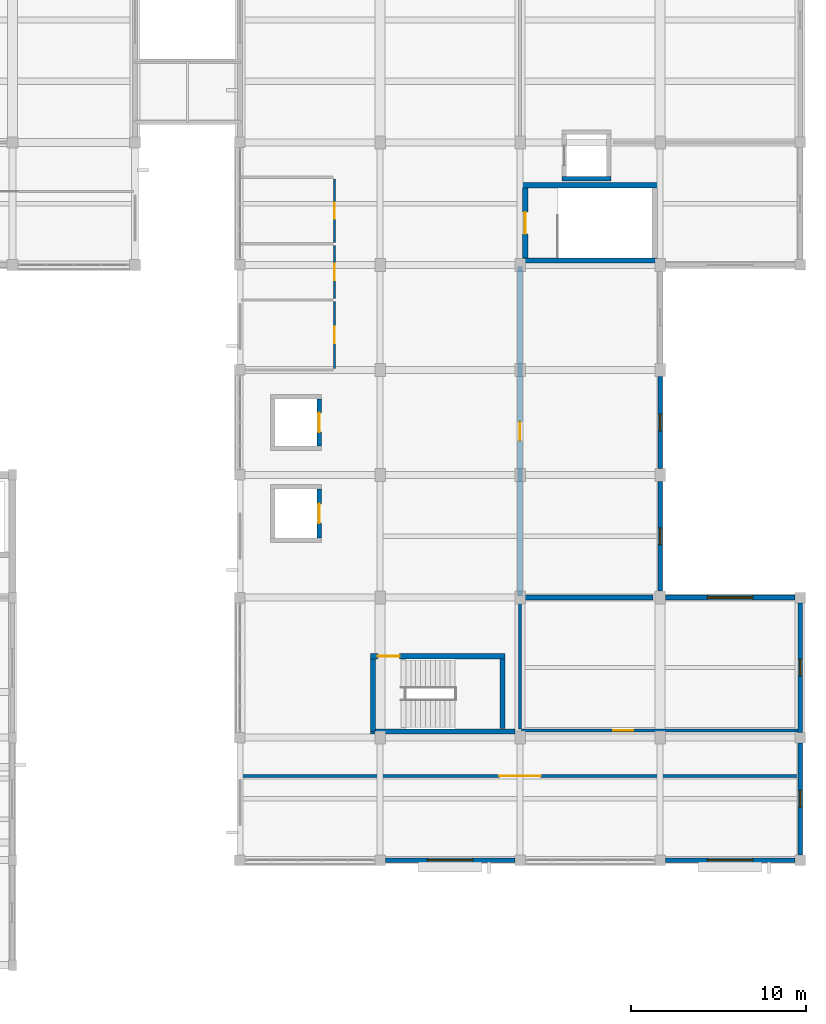
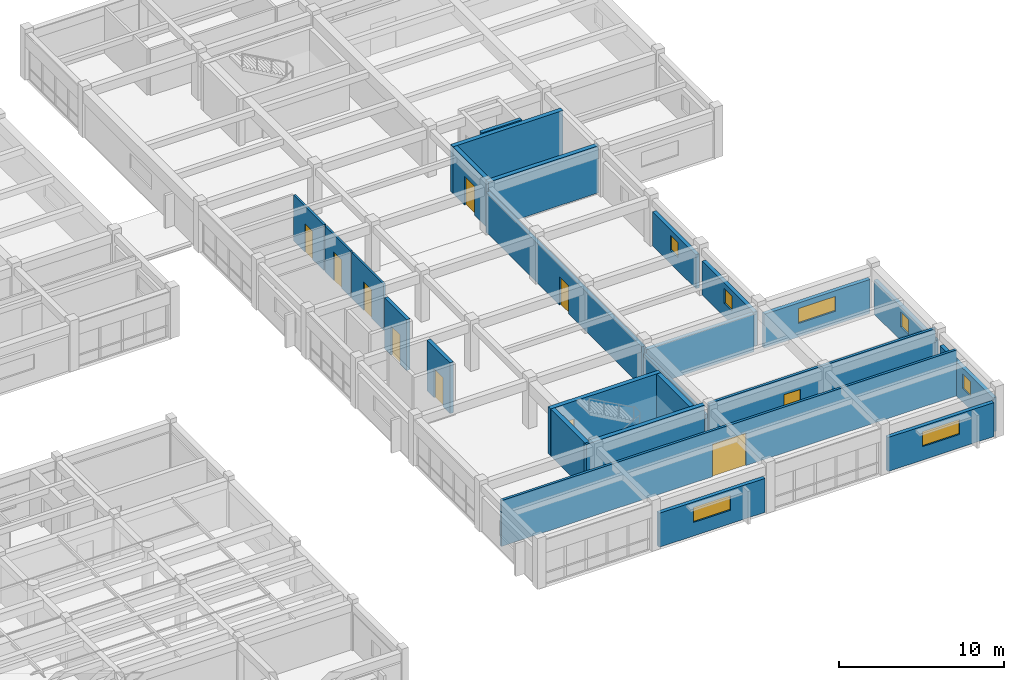
# One storey, part 27 of 33: 25 walls, 10 doors, 7 windows, 17 openings.
"""IFC4 building model written with IfcOpenShell, lengths in metres."""

from ifc_helpers import new_model, si_unit, direction, frame, frame_2d, origin, place, context, subcontext, project, spatial, rectangle, extrude, material, layer, layer_set, type_object, element, fill, save


model = new_model("IFC4")

# Units and contexts
model_context = context("Model", 3, precision=1e-05, world=origin(), true_north=direction((0.0, 1.0)))
body_context = subcontext(model_context, "Body", "Model", "MODEL_VIEW")
ifc_project = project(units=[si_unit("LENGTHUNIT", "METRE"), si_unit("AREAUNIT", "SQUARE_METRE"), si_unit("VOLUMEUNIT", "CUBIC_METRE"), si_unit("PLANEANGLEUNIT", "RADIAN"), si_unit("MASSUNIT", "GRAM", prefix="KILO")], contexts=[model_context])

# Site, building, storey
site_placement = place(None, origin())
site = spatial("IfcSite", under=ifc_project, at=site_placement, CompositionType="ELEMENT")
building_placement = place(site_placement, origin())
building = spatial("IfcBuilding", under=site, at=building_placement, Name="Naurynzar Civic Courthouse", CompositionType="ELEMENT")
storey_placement = place(building_placement, frame((0.0, 0.0, 22.050048828125)))
storey = spatial("IfcBuildingStorey", under=building, at=storey_placement, Name="L06", CompositionType="ELEMENT", Elevation=22.050048828125)

# Wall, opening, door
ifc_material_1 = material(Name="Acoustic Double-Stud Gypsum Partition")
ifc_layer_1 = layer(ifc_material_1, 0.169921875)
ifc_layer_set_1 = layer_set([ifc_layer_1], Name="WL-ACOUSTIC-170")
wall_type_1 = type_object("IfcWallType", Name="WL-ACOUSTIC-170", PredefinedType="PARTITIONING", material=ifc_layer_set_1)
wall_1_placement = place(storey_placement, frame((130.080078125, 14.800048828125, 0.0), z_axis=(0.0, 0.0, 1.0), x_axis=(1.0, 0.0, 0.0)))
wall_1 = element("IfcWall", 1, at=wall_1_placement, inside=storey, type_object=wall_type_1, Name="V5 interior partition L06.653", PredefinedType="PARTITIONING", context=body_context, shape_type="SweptSolid", body=[
    extrude(rectangle(XDim=31.83984375, YDim=0.169921875, at=frame_2d((15.919921875, 0.0))), origin(), (0.0, 0.0, 1.0), 3.389892578125),
])
opening_1_placement = place(wall_1_placement, frame((14.7451171875, 0.0, 0.0)))
opening_1 = element("IfcOpeningElement", 2, at=opening_1_placement, cuts=wall_1, Name="Opening D-347", PredefinedType="OPENING", context=body_context, shape_type="SweptSolid", body=[
    extrude(rectangle(XDim=2.35009765625, YDim=2.39990234375, at=frame_2d((1.175048828125, 1.199951171875))), frame((0.0, 0.094970703125, 0.0), z_axis=(0.0, -1.0, 0.0), x_axis=(1.0, 0.0, 0.0)), (0.0, 0.0, 1.0), 0.18994140625),
])
ifc_material_2 = material(Name="Acoustic Oak Timber Grade A", Category="wood")
door_type_1 = type_object("IfcDoorType", Name="DR-SUITE-2350x2400", OperationType="DOUBLE_DOOR_SINGLE_SWING", PredefinedType="DOOR", material=ifc_material_2)
door_1_placement = place(opening_1_placement, origin())
door_1 = element("IfcDoor", 3, at=door_1_placement, inside=storey, type_object=door_type_1, Name="Interior door D-347 (Serious Offences Courtroom L06-S)", OperationType="DOUBLE_DOOR_SINGLE_SWING", OverallHeight=2.39990234375, OverallWidth=2.35009765625, PredefinedType="DOOR", context=body_context, shape_type="SweptSolid", body=[
    extrude(rectangle(XDim=2.35009765625, YDim=2.39990234375, at=frame_2d((1.175048828125, 1.199951171875))), frame((0.0, 0.02490234375, 0.0), z_axis=(0.0, -1.0, 0.0), x_axis=(1.0, 0.0, 0.0)), (0.0, 0.0, 1.0), 0.050048828125),
])
fill(opening_1, door_1)

ifc_material_3 = material(Name="Concrete C40/50", Category="concrete")
ifc_layer_2 = layer(ifc_material_3, 0.300048828125)
ifc_layer_set_2 = layer_set([ifc_layer_2], Name="WL-CORE-300")
wall_type_2 = type_object("IfcWallType", Name="WL-CORE-300", PredefinedType="SHEAR", material=ifc_layer_set_2)
wall_2_placement = place(storey_placement, frame((145.14990234375, 21.64990234375, 0.0), z_axis=(0.0, 0.0, 1.0), x_axis=(-1.0, 0.0, 0.0)))
wall_2 = element("IfcWall", 4, at=wall_2_placement, inside=storey, type_object=wall_type_2, Name="Stair ST-V5A enclosure wall north L06", PredefinedType="SHEAR", context=body_context, shape_type="SweptSolid", body=[
    extrude(rectangle(XDim=7.699951171875, YDim=0.300048828125, at=frame_2d((3.85009765625, 0.0))), origin(), (0.0, 0.0, 1.0), 3.469970703125),
])
opening_2_placement = place(wall_2_placement, frame((6.02490234375, 0.0, 0.0)))
opening_2 = element("IfcOpeningElement", 5, at=opening_2_placement, cuts=wall_2, Name="Opening SD-065", PredefinedType="OPENING", context=body_context, shape_type="SweptSolid", body=[
    extrude(rectangle(XDim=1.25, YDim=2.14990234375, at=frame_2d((0.625, 1.074951171875))), frame((0.0, 0.159912109375, 0.0), z_axis=(0.0, -1.0, 0.0), x_axis=(1.0, 0.0, 0.0)), (0.0, 0.0, 1.0), 0.320068359375),
])
ifc_material_4 = material(Name="Powder-Coated Galvanised Steel", Category="steel")
door_type_2 = type_object("IfcDoorType", Name="DR-STAIR-1250x2150", OperationType="NOTDEFINED", PredefinedType="DOOR", material=ifc_material_4)
door_2_placement = place(opening_2_placement, origin())
door_2 = element("IfcDoor", 6, at=door_2_placement, inside=storey, type_object=door_type_2, Name="Stair ST-V5A fire door L06", OperationType="SINGLE_SWING_LEFT", OverallHeight=2.14990234375, OverallWidth=1.25, PredefinedType="DOOR", context=body_context, shape_type="SweptSolid", body=[
    extrude(rectangle(XDim=1.25, YDim=2.14990234375, at=frame_2d((0.625, 1.074951171875))), frame((0.0, 0.02490234375, 0.0), z_axis=(0.0, -1.0, 0.0), x_axis=(1.0, 0.0, 0.0)), (0.0, 0.0, 1.0), 0.050048828125),
])
fill(opening_2, door_2)

# Walls
wall_3_placement = place(storey_placement, frame((137.449951171875, 17.35009765625, 0.0), z_axis=(0.0, 0.0, 1.0), x_axis=(1.0, 0.0, 0.0)))
element("IfcWall", 7, at=wall_3_placement, inside=storey, type_object=wall_type_2, Name="Stair ST-V5A enclosure wall south L06", PredefinedType="SHEAR", context=body_context, shape_type="SweptSolid", body=[
    extrude(rectangle(XDim=8.27001953125, YDim=0.300048828125, at=frame_2d((4.135009765625, 0.0))), origin(), (0.0, 0.0, 1.0), 3.469970703125),
])
wall_4_placement = place(storey_placement, frame((137.60009765625, 21.4951171875, 0.0), z_axis=(0.0, 0.0, 1.0), x_axis=(0.0, -1.0, 0.0)))
element("IfcWall", 8, at=wall_4_placement, inside=storey, type_object=wall_type_2, Name="Stair ST-V5A enclosure wall west L06", PredefinedType="SHEAR", context=body_context, shape_type="SweptSolid", body=[
    extrude(rectangle(XDim=4.14013671875, YDim=0.300048828125, at=frame_2d((2.070068359375, 0.0))), origin(), (0.0, 0.0, 1.0), 3.469970703125),
])
wall_5_placement = place(storey_placement, frame((145.0, 17.5048828125, 0.0), z_axis=(0.0, 0.0, 1.0), x_axis=(0.0, 1.0, 0.0)))
element("IfcWall", 9, at=wall_5_placement, inside=storey, type_object=wall_type_2, Name="Stair ST-V5A enclosure wall east L06", PredefinedType="SHEAR", context=body_context, shape_type="SweptSolid", body=[
    extrude(rectangle(XDim=3.990234375, YDim=0.300048828125, at=frame_2d((1.9951171875, 0.0))), origin(), (0.0, 0.0, 1.0), 3.469970703125),
])
for number, where, z_axis, x_axis, name in (
    (10, (153.85009765625, 48.550048828125, 0.0), (0.0, 0.0, 1.0), (-1.0, 0.0, 0.0), "Stair ST-CUS enclosure wall north L06"),
    (11, (146.14990234375, 44.25, 0.0), (0.0, 0.0, 1.0), (1.0, 0.0, 0.0), "Stair ST-CUS enclosure wall south L06"),
):
    element("IfcWall", number, at=place(storey_placement, frame(where, z_axis=z_axis, x_axis=x_axis)), inside=storey, type_object=wall_type_2, Name=name, PredefinedType="SHEAR", context=body_context, shape_type="SweptSolid", body=[
        extrude(rectangle(XDim=7.7001953125, YDim=0.300048828125, at=frame_2d((3.85009765625, 0.0))), origin(), (0.0, 0.0, 1.0), 3.469970703125),
    ])

# Wall, opening, door
wall_6_placement = place(storey_placement, frame((146.300048828125, 48.39501953125, 0.0), z_axis=(0.0, 0.0, 1.0), x_axis=(0.0, -1.0, 0.0)))
wall_6 = element("IfcWall", 12, at=wall_6_placement, inside=storey, type_object=wall_type_2, Name="Stair ST-CUS enclosure wall west L06", PredefinedType="SHEAR", context=body_context, shape_type="SweptSolid", body=[
    extrude(rectangle(XDim=3.989990234375, YDim=0.300048828125, at=frame_2d((1.9951171875, 0.0))), origin(), (0.0, 0.0, 1.0), 3.469970703125),
])
opening_3_placement = place(wall_6_placement, frame((1.3701171875, 0.0, 0.0)))
opening_3 = element("IfcOpeningElement", 13, at=opening_3_placement, cuts=wall_6, Name="Opening SD-083", PredefinedType="OPENING", context=body_context, shape_type="SweptSolid", body=[
    extrude(rectangle(XDim=1.25, YDim=2.14990234375, at=frame_2d((0.625, 1.074951171875))), frame((0.0, 0.159912109375, 0.0), z_axis=(0.0, -1.0, 0.0), x_axis=(1.0, 0.0, 0.0)), (0.0, 0.0, 1.0), 0.320068359375),
])
door_3_placement = place(opening_3_placement, origin())
door_3 = element("IfcDoor", 14, at=door_3_placement, inside=storey, type_object=door_type_2, Name="Stair ST-CUS fire door L06", OperationType="SINGLE_SWING_LEFT", OverallHeight=2.14990234375, OverallWidth=1.25, PredefinedType="DOOR", context=body_context, shape_type="SweptSolid", body=[
    extrude(rectangle(XDim=1.25, YDim=2.14990234375, at=frame_2d((0.625, 1.074951171875))), frame((0.0, 0.02490234375, 0.0), z_axis=(0.0, -1.0, 0.0), x_axis=(1.0, 0.0, 0.0)), (0.0, 0.0, 1.0), 0.050048828125),
])
fill(opening_3, door_3)

# Wall
ifc_material_5 = material(Name="Concrete C40/50", Category="concrete")
ifc_layer_3 = layer(ifc_material_5, 0.260009765625)
ifc_layer_set_3 = layer_set([ifc_layer_3], Name="WL-CUS-260")
wall_type_3 = type_object("IfcWallType", Name="WL-CUS-260", PredefinedType="SOLIDWALL", material=ifc_layer_set_3)
wall_7_placement = place(storey_placement, frame((146.080078125, 25.0, 0.0), z_axis=(0.0, 0.0, 1.0), x_axis=(1.0, 0.0, 0.0)))
element("IfcWall", 15, at=wall_7_placement, inside=storey, type_object=wall_type_3, Name="V5 interior partition L06.659", PredefinedType="SOLIDWALL", context=body_context, shape_type="SweptSolid", body=[
    extrude(rectangle(XDim=7.52001953125, YDim=0.260009765625, at=frame_2d((3.760009765625, 0.0))), origin(), (0.0, 0.0, 1.0), 2.780029296875),
])

# Wall, opening, door
wall_8_placement = place(storey_placement, frame((146.0, 25.080078125, 0.0), z_axis=(0.0, 0.0, 1.0), x_axis=(0.0, 1.0, 0.0)))
wall_8 = element("IfcWall", 16, at=wall_8_placement, inside=storey, type_object=wall_type_3, Name="V5 interior partition L06.716", PredefinedType="SOLIDWALL", context=body_context, shape_type="SweptSolid", body=[
    extrude(rectangle(XDim=18.83984375, YDim=0.260009765625, at=frame_2d((9.419921875, 0.0))), origin(), (0.0, 0.0, 1.0), 2.929931640625),
])
opening_4_placement = place(wall_8_placement, frame((8.8798828125, 0.0, 0.0)))
opening_4 = element("IfcOpeningElement", 17, at=opening_4_placement, cuts=wall_8, Name="Opening D-349", PredefinedType="OPENING", context=body_context, shape_type="SweptSolid", body=[
    extrude(rectangle(XDim=1.080078125, YDim=2.10009765625, at=frame_2d((0.5400390625, 1.050048828125))), frame((0.0, 0.139892578125, 0.0), z_axis=(0.0, -1.0, 0.0), x_axis=(1.0, 0.0, 0.0)), (0.0, 0.0, 1.0), 0.280029296875),
])
ifc_material_6 = material(Name="Powder-Coated Galvanised Steel", Category="steel")
door_type_3 = type_object("IfcDoorType", Name="DR-CUS-CELL-1080x2100", OperationType="NOTDEFINED", PredefinedType="DOOR", material=ifc_material_6)
door_4_placement = place(opening_4_placement, origin())
door_4 = element("IfcDoor", 18, at=door_4_placement, inside=storey, type_object=door_type_3, Name="Interior door D-349 (Custody Suite Dock Holding L06)", OperationType="SINGLE_SWING_LEFT", OverallHeight=2.10009765625, OverallWidth=1.080078125, PredefinedType="DOOR", context=body_context, shape_type="SweptSolid", body=[
    extrude(rectangle(XDim=1.080078125, YDim=2.10009765625, at=frame_2d((0.5400390625, 1.050048828125))), frame((0.0, 0.02490234375, 0.0), z_axis=(0.0, -1.0, 0.0), x_axis=(1.0, 0.0, 0.0)), (0.0, 0.0, 1.0), 0.050048828125),
])
fill(opening_4, door_4)

# Wall, opening, window
ifc_material_7 = material(Name="Precast concrete C40/50", Category="concrete")
ifc_layer_4 = layer(ifc_material_7, 0.260009765625)
ifc_layer_set_4 = layer_set([ifc_layer_4], Name="WL-EXT-260")
wall_type_4 = type_object("IfcWallType", Name="WL-EXT-260", PredefinedType="SOLIDWALL", material=ifc_layer_set_4)
wall_9_placement = place(storey_placement, frame((154.0, 37.625, 0.0), z_axis=(0.0, 0.0, 1.0), x_axis=(0.0, -1.0, 0.0)))
wall_9 = element("IfcWall", 19, at=wall_9_placement, inside=storey, type_object=wall_type_4, Name="V5 exterior wall notch_w L06.2.1", PredefinedType="SOLIDWALL", context=body_context, shape_type="SweptSolid", body=[
    extrude(rectangle(XDim=5.25, YDim=0.260009765625, at=frame_2d((2.625, 0.0))), origin(), (0.0, 0.0, 1.0), 2.510009765625),
])
opening_5_placement = place(wall_9_placement, frame((2.14990234375, 0.0, 1.0)))
opening_5 = element("IfcOpeningElement", 20, at=opening_5_placement, cuts=wall_9, Name="Opening WN-16", PredefinedType="OPENING", context=body_context, shape_type="SweptSolid", body=[
    extrude(rectangle(XDim=0.949951171875, YDim=1.10009765625, at=frame_2d((0.47509765625, 0.550048828125))), frame((0.0, 0.139892578125, 0.0), z_axis=(0.0, -1.0, 0.0), x_axis=(1.0, 0.0, 0.0)), (0.0, 0.0, 1.0), 0.280029296875),
])
ifc_material_8 = material(Name="Tempered Laminated Low-E Glass", Category="glass")
window_type_1 = type_object("IfcWindowType", Name="WIN-SEC-950x1100", PartitioningType="SINGLE_PANEL", PredefinedType="WINDOW", material=ifc_material_8)
window_1_placement = place(opening_5_placement, origin())
window_1 = element("IfcWindow", 21, at=window_1_placement, inside=storey, type_object=window_type_1, Name="V5 window 345 L06", OverallHeight=1.10009765625, OverallWidth=0.949951171875, PartitioningType="SINGLE_PANEL", PredefinedType="WINDOW", context=body_context, shape_type="SweptSolid", body=[
    extrude(rectangle(XDim=0.949951171875, YDim=1.10009765625, at=frame_2d((0.47509765625, 0.550048828125))), frame((0.0, 0.030029296875, 0.0), z_axis=(0.0, -1.0, 0.0), x_axis=(1.0, 0.0, 0.0)), (0.0, 0.0, 1.0), 0.06005859375),
])
fill(opening_5, window_1)

wall_10_placement = place(storey_placement, frame((154.0, 31.625, 0.0), z_axis=(0.0, 0.0, 1.0), x_axis=(0.0, -1.0, 0.0)))
wall_10 = element("IfcWall", 22, at=wall_10_placement, inside=storey, type_object=wall_type_4, Name="V5 exterior wall notch_w L06.3.1", PredefinedType="SOLIDWALL", context=body_context, shape_type="SweptSolid", body=[
    extrude(rectangle(XDim=6.25, YDim=0.260009765625, at=frame_2d((3.125, 0.0))), origin(), (0.0, 0.0, 1.0), 2.510009765625),
])
opening_6_placement = place(wall_10_placement, frame((2.64990234375, 0.0, 1.0)))
opening_6 = element("IfcOpeningElement", 23, at=opening_6_placement, cuts=wall_10, Name="Opening WN-16", PredefinedType="OPENING", context=body_context, shape_type="SweptSolid", body=[
    extrude(rectangle(XDim=0.949951171875, YDim=1.10009765625, at=frame_2d((0.47509765625, 0.550048828125))), frame((0.0, 0.139892578125, 0.0), z_axis=(0.0, -1.0, 0.0), x_axis=(1.0, 0.0, 0.0)), (0.0, 0.0, 1.0), 0.280029296875),
])
window_2_placement = place(opening_6_placement, origin())
window_2 = element("IfcWindow", 24, at=window_2_placement, inside=storey, type_object=window_type_1, Name="V5 window 346 L06", OverallHeight=1.10009765625, OverallWidth=0.949951171875, PartitioningType="SINGLE_PANEL", PredefinedType="WINDOW", context=body_context, shape_type="SweptSolid", body=[
    extrude(rectangle(XDim=0.949951171875, YDim=1.10009765625, at=frame_2d((0.47509765625, 0.550048828125))), frame((0.0, 0.030029296875, 0.0), z_axis=(0.0, -1.0, 0.0), x_axis=(1.0, 0.0, 0.0)), (0.0, 0.0, 1.0), 0.06005859375),
])
fill(opening_6, window_2)

wall_11_placement = place(storey_placement, frame((154.300048828125, 25.0, 0.0), z_axis=(0.0, 0.0, 1.0), x_axis=(1.0, 0.0, 0.0)))
wall_11 = element("IfcWall", 25, at=wall_11_placement, inside=storey, type_object=wall_type_4, Name="V5 exterior wall notch_s L06.1.1", PredefinedType="SOLIDWALL", context=body_context, shape_type="SweptSolid", body=[
    extrude(rectangle(XDim=7.39990234375, YDim=0.260009765625, at=frame_2d((3.699951171875, 0.0))), origin(), (0.0, 0.0, 1.0), 2.510009765625),
])
opening_7_placement = place(wall_11_placement, frame((2.39990234375, 0.0, 1.0)))
opening_7 = element("IfcOpeningElement", 26, at=opening_7_placement, cuts=wall_11, Name="Opening WN-17", PredefinedType="OPENING", context=body_context, shape_type="SweptSolid", body=[
    extrude(rectangle(XDim=2.60009765625, YDim=1.10009765625, at=frame_2d((1.300048828125, 0.550048828125))), frame((0.0, 0.139892578125, 0.0), z_axis=(0.0, -1.0, 0.0), x_axis=(1.0, 0.0, 0.0)), (0.0, 0.0, 1.0), 0.280029296875),
])
ifc_material_9 = material(Name="Tempered Laminated Low-E Glass", Category="glass")
window_type_2 = type_object("IfcWindowType", Name="WIN-CLER-2600x1100", PartitioningType="DOUBLE_PANEL_VERTICAL", PredefinedType="WINDOW", material=ifc_material_9)
window_3_placement = place(opening_7_placement, origin())
window_3 = element("IfcWindow", 27, at=window_3_placement, inside=storey, type_object=window_type_2, Name="V5 window 347 L06", OverallHeight=1.10009765625, OverallWidth=2.60009765625, PartitioningType="SINGLE_PANEL", PredefinedType="WINDOW", context=body_context, shape_type="SweptSolid", body=[
    extrude(rectangle(XDim=2.60009765625, YDim=1.10009765625, at=frame_2d((1.300048828125, 0.550048828125))), frame((0.0, 0.030029296875, 0.0), z_axis=(0.0, -1.0, 0.0), x_axis=(1.0, 0.0, 0.0)), (0.0, 0.0, 1.0), 0.06005859375),
])
fill(opening_7, window_3)

wall_12_placement = place(storey_placement, frame((162.0, 24.699951171875, 0.0), z_axis=(0.0, 0.0, 1.0), x_axis=(0.0, -1.0, 0.0)))
wall_12 = element("IfcWall", 28, at=wall_12_placement, inside=storey, type_object=wall_type_4, Name="V5 exterior wall east_south L06.1.1", PredefinedType="SOLIDWALL", context=body_context, shape_type="SweptSolid", body=[
    extrude(rectangle(XDim=7.39990234375, YDim=0.260009765625, at=frame_2d((3.699951171875, 0.0))), origin(), (0.0, 0.0, 1.0), 2.510009765625),
])
opening_8_placement = place(wall_12_placement, frame((3.22509765625, 0.0, 1.0)))
opening_8 = element("IfcOpeningElement", 29, at=opening_8_placement, cuts=wall_12, Name="Opening WN-16", PredefinedType="OPENING", context=body_context, shape_type="SweptSolid", body=[
    extrude(rectangle(XDim=0.949951171875, YDim=1.10009765625, at=frame_2d((0.47509765625, 0.550048828125))), frame((0.0, 0.139892578125, 0.0), z_axis=(0.0, -1.0, 0.0), x_axis=(1.0, 0.0, 0.0)), (0.0, 0.0, 1.0), 0.280029296875),
])
window_4_placement = place(opening_8_placement, origin())
window_4 = element("IfcWindow", 30, at=window_4_placement, inside=storey, type_object=window_type_1, Name="V5 window 348 L06", OverallHeight=1.10009765625, OverallWidth=0.949951171875, PartitioningType="SINGLE_PANEL", PredefinedType="WINDOW", context=body_context, shape_type="SweptSolid", body=[
    extrude(rectangle(XDim=0.949951171875, YDim=1.10009765625, at=frame_2d((0.47509765625, 0.550048828125))), frame((0.0, 0.030029296875, 0.0), z_axis=(0.0, -1.0, 0.0), x_axis=(1.0, 0.0, 0.0)), (0.0, 0.0, 1.0), 0.06005859375),
])
fill(opening_8, window_4)

wall_13_placement = place(storey_placement, frame((162.0, 16.699951171875, 0.0), z_axis=(0.0, 0.0, 1.0), x_axis=(0.0, -1.0, 0.0)))
wall_13 = element("IfcWall", 31, at=wall_13_placement, inside=storey, type_object=wall_type_4, Name="V5 exterior wall east_south L06.2.1", PredefinedType="SOLIDWALL", context=body_context, shape_type="SweptSolid", body=[
    extrude(rectangle(XDim=6.39990234375, YDim=0.260009765625, at=frame_2d((3.199951171875, 0.0))), origin(), (0.0, 0.0, 1.0), 2.510009765625),
])
opening_9_placement = place(wall_13_placement, frame((2.72509765625, 0.0, 1.0)))
opening_9 = element("IfcOpeningElement", 32, at=opening_9_placement, cuts=wall_13, Name="Opening WN-16", PredefinedType="OPENING", context=body_context, shape_type="SweptSolid", body=[
    extrude(rectangle(XDim=0.949951171875, YDim=1.10009765625, at=frame_2d((0.47509765625, 0.550048828125))), frame((0.0, 0.139892578125, 0.0), z_axis=(0.0, -1.0, 0.0), x_axis=(1.0, 0.0, 0.0)), (0.0, 0.0, 1.0), 0.280029296875),
])
window_5_placement = place(opening_9_placement, origin())
window_5 = element("IfcWindow", 33, at=window_5_placement, inside=storey, type_object=window_type_1, Name="V5 window 349 L06", OverallHeight=1.10009765625, OverallWidth=0.949951171875, PartitioningType="SINGLE_PANEL", PredefinedType="WINDOW", context=body_context, shape_type="SweptSolid", body=[
    extrude(rectangle(XDim=0.949951171875, YDim=1.10009765625, at=frame_2d((0.47509765625, 0.550048828125))), frame((0.0, 0.030029296875, 0.0), z_axis=(0.0, -1.0, 0.0), x_axis=(1.0, 0.0, 0.0)), (0.0, 0.0, 1.0), 0.06005859375),
])
fill(opening_9, window_5)

wall_14_placement = place(storey_placement, frame((161.699951171875, 10.0, 0.0), z_axis=(0.0, 0.0, 1.0), x_axis=(-1.0, 0.0, 0.0)))
wall_14 = element("IfcWall", 34, at=wall_14_placement, inside=storey, type_object=wall_type_4, Name="V5 exterior wall south L06.1.1", PredefinedType="SOLIDWALL", context=body_context, shape_type="SweptSolid", body=[
    extrude(rectangle(XDim=7.39990234375, YDim=0.260009765625, at=frame_2d((3.699951171875, 0.0))), origin(), (0.0, 0.0, 1.0), 2.510009765625),
])
opening_10_placement = place(wall_14_placement, frame((2.39990234375, 0.0, 1.0)))
opening_10 = element("IfcOpeningElement", 35, at=opening_10_placement, cuts=wall_14, Name="Opening WN-17", PredefinedType="OPENING", context=body_context, shape_type="SweptSolid", body=[
    extrude(rectangle(XDim=2.60009765625, YDim=1.10009765625, at=frame_2d((1.300048828125, 0.550048828125))), frame((0.0, 0.139892578125, 0.0), z_axis=(0.0, -1.0, 0.0), x_axis=(1.0, 0.0, 0.0)), (0.0, 0.0, 1.0), 0.280029296875),
])
window_6_placement = place(opening_10_placement, origin())
window_6 = element("IfcWindow", 36, at=window_6_placement, inside=storey, type_object=window_type_2, Name="V5 window 350 L06", OverallHeight=1.10009765625, OverallWidth=2.60009765625, PartitioningType="SINGLE_PANEL", PredefinedType="WINDOW", context=body_context, shape_type="SweptSolid", body=[
    extrude(rectangle(XDim=2.60009765625, YDim=1.10009765625, at=frame_2d((1.300048828125, 0.550048828125))), frame((0.0, 0.030029296875, 0.0), z_axis=(0.0, -1.0, 0.0), x_axis=(1.0, 0.0, 0.0)), (0.0, 0.0, 1.0), 0.06005859375),
])
fill(opening_10, window_6)

wall_15_placement = place(storey_placement, frame((145.699951171875, 10.0, 0.0), z_axis=(0.0, 0.0, 1.0), x_axis=(-1.0, 0.0, 0.0)))
wall_15 = element("IfcWall", 37, at=wall_15_placement, inside=storey, type_object=wall_type_4, Name="V5 exterior wall south L06.3.1", PredefinedType="SOLIDWALL", context=body_context, shape_type="SweptSolid", body=[
    extrude(rectangle(XDim=7.39990234375, YDim=0.260009765625, at=frame_2d((3.699951171875, 0.0))), origin(), (0.0, 0.0, 1.0), 2.510009765625),
])
opening_11_placement = place(wall_15_placement, frame((2.39990234375, 0.0, 1.0)))
opening_11 = element("IfcOpeningElement", 38, at=opening_11_placement, cuts=wall_15, Name="Opening WN-17", PredefinedType="OPENING", context=body_context, shape_type="SweptSolid", body=[
    extrude(rectangle(XDim=2.60009765625, YDim=1.10009765625, at=frame_2d((1.300048828125, 0.550048828125))), frame((0.0, 0.139892578125, 0.0), z_axis=(0.0, -1.0, 0.0), x_axis=(1.0, 0.0, 0.0)), (0.0, 0.0, 1.0), 0.280029296875),
])
window_7_placement = place(opening_11_placement, origin())
window_7 = element("IfcWindow", 39, at=window_7_placement, inside=storey, type_object=window_type_2, Name="V5 window 351 L06", OverallHeight=1.10009765625, OverallWidth=2.60009765625, PartitioningType="SINGLE_PANEL", PredefinedType="WINDOW", context=body_context, shape_type="SweptSolid", body=[
    extrude(rectangle(XDim=2.60009765625, YDim=1.10009765625, at=frame_2d((1.300048828125, 0.550048828125))), frame((0.0, 0.030029296875, 0.0), z_axis=(0.0, -1.0, 0.0), x_axis=(1.0, 0.0, 0.0)), (0.0, 0.0, 1.0), 0.06005859375),
])
fill(opening_11, window_7)

# Wall, opening, door
ifc_material_10 = material(Name="Acoustic Double-Stud Gypsum Partition")
ifc_layer_5 = layer(ifc_material_10, 0.179931640625)
ifc_layer_set_5 = layer_set([ifc_layer_5], Name="WL-PART-JURY-180")
wall_type_5 = type_object("IfcWallType", Name="WL-PART-JURY-180", PredefinedType="PARTITIONING", material=ifc_layer_set_5)
wall_16_placement = place(storey_placement, frame((146.080078125, 17.39990234375, 0.0), z_axis=(0.0, 0.0, 1.0), x_axis=(1.0, 0.0, 0.0)))
wall_16 = element("IfcWall", 40, at=wall_16_placement, inside=storey, type_object=wall_type_5, Name="V5 interior partition L06.654", PredefinedType="PARTITIONING", context=body_context, shape_type="SweptSolid", body=[
    extrude(rectangle(XDim=15.83984375, YDim=0.179931640625, at=frame_2d((7.919921875, 0.0))), origin(), (0.0, 0.0, 1.0), 3.389892578125),
])
opening_12_placement = place(wall_16_placement, frame((5.24658203125, 0.0, 0.0)))
opening_12 = element("IfcOpeningElement", 41, at=opening_12_placement, cuts=wall_16, Name="Opening D-348", PredefinedType="OPENING", context=body_context, shape_type="SweptSolid", body=[
    extrude(rectangle(XDim=1.14990234375, YDim=2.199951171875, at=frame_2d((0.574951171875, 1.10009765625))), frame((0.0, 0.099853515625, 0.0), z_axis=(0.0, -1.0, 0.0), x_axis=(1.0, 0.0, 0.0)), (0.0, 0.0, 1.0), 0.199951171875),
])
ifc_material_11 = material(Name="Acoustic Oak Timber Grade A", Category="wood")
door_type_4 = type_object("IfcDoorType", Name="DR-JURY-1150x2200", OperationType="NOTDEFINED", PredefinedType="DOOR", material=ifc_material_11)
door_5_placement = place(opening_12_placement, origin())
door_5 = element("IfcDoor", 42, at=door_5_placement, inside=storey, type_object=door_type_4, Name="Interior door D-348 (Jury Room L06-V5)", OperationType="SINGLE_SWING_RIGHT", OverallHeight=2.199951171875, OverallWidth=1.14990234375, PredefinedType="DOOR", context=body_context, shape_type="SweptSolid", body=[
    extrude(rectangle(XDim=1.14990234375, YDim=2.199951171875, at=frame_2d((0.574951171875, 1.10009765625))), frame((0.0, 0.02490234375, 0.0), z_axis=(0.0, -1.0, 0.0), x_axis=(1.0, 0.0, 0.0)), (0.0, 0.0, 1.0), 0.050048828125),
])
fill(opening_12, door_5)

# Wall
wall_17_placement = place(storey_placement, frame((146.0, 17.47998046875, 0.0), z_axis=(0.0, 0.0, 1.0), x_axis=(0.0, 1.0, 0.0)))
element("IfcWall", 43, at=wall_17_placement, inside=storey, type_object=wall_type_5, Name="V5 interior partition L06.715", PredefinedType="PARTITIONING", context=body_context, shape_type="SweptSolid", body=[
    extrude(rectangle(XDim=7.43994140625, YDim=0.179931640625, at=frame_2d((3.719970703125, 0.0))), origin(), (0.0, 0.0, 1.0), 2.530029296875),
])

# Wall, opening, door
ifc_material_12 = material(Name="Moisture-Resistant Plumbing Partition")
ifc_layer_6 = layer(ifc_material_12, 0.139892578125)
ifc_layer_set_6 = layer_set([ifc_layer_6], Name="WL-PART-WC-140")
wall_type_6 = type_object("IfcWallType", Name="WL-PART-WC-140", PredefinedType="PLUMBINGWALL", material=ifc_layer_set_6)
wall_18_placement = place(storey_placement, frame((135.39990234375, 38.080078125, 0.0), z_axis=(0.0, 0.0, 1.0), x_axis=(0.0, 1.0, 0.0)))
wall_18 = element("IfcWall", 44, at=wall_18_placement, inside=storey, type_object=wall_type_6, Name="V5 interior partition L06.710", PredefinedType="PLUMBINGWALL", context=body_context, shape_type="SweptSolid", body=[
    extrude(rectangle(XDim=3.83984375, YDim=0.139892578125, at=frame_2d((1.919921875, 0.0))), origin(), (0.0, 0.0, 1.0), 3.389892578125),
])
opening_13_placement = place(wall_18_placement, frame((1.4599609375, 0.0, 0.0)))
opening_13 = element("IfcOpeningElement", 45, at=opening_13_placement, cuts=wall_18, Name="Opening D-344", PredefinedType="OPENING", context=body_context, shape_type="SweptSolid", body=[
    extrude(rectangle(XDim=0.919921875, YDim=2.10009765625, at=frame_2d((0.4599609375, 1.050048828125))), frame((0.0, 0.079833984375, 0.0), z_axis=(0.0, -1.0, 0.0), x_axis=(1.0, 0.0, 0.0)), (0.0, 0.0, 1.0), 0.159912109375),
])
ifc_material_13 = material(Name="Acoustic Oak Timber Grade A", Category="wood")
door_type_5 = type_object("IfcDoorType", Name="DR-WC-STD-920x2100", OperationType="NOTDEFINED", PredefinedType="DOOR", material=ifc_material_13)
door_6_placement = place(opening_13_placement, origin())
door_6 = element("IfcDoor", 46, at=door_6_placement, inside=storey, type_object=door_type_5, Name="Interior door D-344 (Public WC V5)", OperationType="SINGLE_SWING_RIGHT", OverallHeight=2.10009765625, OverallWidth=0.919921875, PredefinedType="DOOR", context=body_context, shape_type="SweptSolid", body=[
    extrude(rectangle(XDim=0.919921875, YDim=2.10009765625, at=frame_2d((0.4599609375, 1.050048828125))), frame((0.0, 0.02490234375, 0.0), z_axis=(0.0, -1.0, 0.0), x_axis=(1.0, 0.0, 0.0)), (0.0, 0.0, 1.0), 0.050048828125),
])
fill(opening_13, door_6)

wall_19_placement = place(storey_placement, frame((135.39990234375, 42.080078125, 0.0), z_axis=(0.0, 0.0, 1.0), x_axis=(0.0, 1.0, 0.0)))
wall_19 = element("IfcWall", 47, at=wall_19_placement, inside=storey, type_object=wall_type_6, Name="V5 interior partition L06.711", PredefinedType="PLUMBINGWALL", context=body_context, shape_type="SweptSolid", body=[
    extrude(rectangle(XDim=3.0400390625, YDim=0.139892578125, at=frame_2d((1.52001953125, 0.0))), origin(), (0.0, 0.0, 1.0), 3.389892578125),
])
opening_14_placement = place(wall_19_placement, frame((1.0400390625, 0.0, 0.0)))
opening_14 = element("IfcOpeningElement", 48, at=opening_14_placement, cuts=wall_19, Name="Opening D-345", PredefinedType="OPENING", context=body_context, shape_type="SweptSolid", body=[
    extrude(rectangle(XDim=0.9599609375, YDim=2.10009765625, at=frame_2d((0.47998046875, 1.050048828125))), frame((0.0, 0.079833984375, 0.0), z_axis=(0.0, -1.0, 0.0), x_axis=(1.0, 0.0, 0.0)), (0.0, 0.0, 1.0), 0.159912109375),
])
ifc_material_14 = material(Name="Acoustic Oak Timber Grade A", Category="wood")
door_type_6 = type_object("IfcDoorType", Name="DR-WC-ACC-960x2100", OperationType="NOTDEFINED", PredefinedType="DOOR", material=ifc_material_14)
door_7_placement = place(opening_14_placement, origin())
door_7 = element("IfcDoor", 49, at=door_7_placement, inside=storey, type_object=door_type_6, Name="Interior door D-345 (Accessible WC V5)", OperationType="SINGLE_SWING_LEFT", OverallHeight=2.10009765625, OverallWidth=0.9599609375, PredefinedType="DOOR", context=body_context, shape_type="SweptSolid", body=[
    extrude(rectangle(XDim=0.9599609375, YDim=2.10009765625, at=frame_2d((0.47998046875, 1.050048828125))), frame((0.0, 0.02490234375, 0.0), z_axis=(0.0, -1.0, 0.0), x_axis=(1.0, 0.0, 0.0)), (0.0, 0.0, 1.0), 0.050048828125),
])
fill(opening_14, door_7)

wall_20_placement = place(storey_placement, frame((135.39990234375, 45.280029296875, 0.0), z_axis=(0.0, 0.0, 1.0), x_axis=(0.0, 1.0, 0.0)))
wall_20 = element("IfcWall", 50, at=wall_20_placement, inside=storey, type_object=wall_type_6, Name="V5 interior partition L06.712", PredefinedType="PLUMBINGWALL", context=body_context, shape_type="SweptSolid", body=[
    extrude(rectangle(XDim=3.639892578125, YDim=0.139892578125, at=frame_2d((1.81982421875, 0.0))), origin(), (0.0, 0.0, 1.0), 3.389892578125),
])
opening_15_placement = place(wall_20_placement, frame((1.360107421875, 0.0, 0.0)))
opening_15 = element("IfcOpeningElement", 51, at=opening_15_placement, cuts=wall_20, Name="Opening D-346", PredefinedType="OPENING", context=body_context, shape_type="SweptSolid", body=[
    extrude(rectangle(XDim=0.919921875, YDim=2.10009765625, at=frame_2d((0.4599609375, 1.050048828125))), frame((0.0, 0.079833984375, 0.0), z_axis=(0.0, -1.0, 0.0), x_axis=(1.0, 0.0, 0.0)), (0.0, 0.0, 1.0), 0.159912109375),
])
door_8_placement = place(opening_15_placement, origin())
door_8 = element("IfcDoor", 52, at=door_8_placement, inside=storey, type_object=door_type_5, Name="Interior door D-346 (Staff WC V5)", OperationType="SINGLE_SWING_RIGHT", OverallHeight=2.10009765625, OverallWidth=0.919921875, PredefinedType="DOOR", context=body_context, shape_type="SweptSolid", body=[
    extrude(rectangle(XDim=0.919921875, YDim=2.10009765625, at=frame_2d((0.4599609375, 1.050048828125))), frame((0.0, 0.02490234375, 0.0), z_axis=(0.0, -1.0, 0.0), x_axis=(1.0, 0.0, 0.0)), (0.0, 0.0, 1.0), 0.050048828125),
])
fill(opening_15, door_8)

ifc_material_15 = material(Name="Concrete C40/50", Category="concrete")
ifc_layer_7 = layer(ifc_material_15, 0.25)
ifc_layer_set_7 = layer_set([ifc_layer_7], Name="WL-SHAFT-250")
wall_type_7 = type_object("IfcWallType", Name="WL-SHAFT-250", PredefinedType="SHEAR", material=ifc_layer_set_7)
wall_21_placement = place(storey_placement, frame((134.52490234375, 33.655029296875, 0.0), z_axis=(0.0, 0.0, 1.0), x_axis=(0.0, 1.0, 0.0)))
wall_21 = element("IfcWall", 53, at=wall_21_placement, inside=storey, type_object=wall_type_7, Name="Lift LP-05 shaft wall east L06", PredefinedType="SHEAR", context=body_context, shape_type="SweptSolid", body=[
    extrude(rectangle(XDim=2.68994140625, YDim=0.25, at=frame_2d((1.344970703125, 0.0))), origin(), (0.0, 0.0, 1.0), 3.75),
])
opening_16_placement = place(wall_21_placement, frame((0.794921875, 0.0, 0.0)))
opening_16 = element("IfcOpeningElement", 54, at=opening_16_placement, cuts=wall_21, Name="Opening LD-074", PredefinedType="OPENING", context=body_context, shape_type="SweptSolid", body=[
    extrude(rectangle(XDim=1.10009765625, YDim=2.14990234375, at=frame_2d((0.550048828125, 1.074951171875))), frame((0.0, 0.135009765625, 0.0), z_axis=(0.0, -1.0, 0.0), x_axis=(1.0, 0.0, 0.0)), (0.0, 0.0, 1.0), 0.27001953125),
])
ifc_material_16 = material(Name="Brushed Stainless Steel 304", Category="steel")
door_type_7 = type_object("IfcDoorType", Name="DR-LIFT-SLIDE-1100x2150", OperationType="DOUBLE_DOOR_SLIDING", PredefinedType="DOOR", material=ifc_material_16)
door_9_placement = place(opening_16_placement, origin())
door_9 = element("IfcDoor", 55, at=door_9_placement, inside=storey, type_object=door_type_7, Name="Lift LP-05 sliding landing door L06", OperationType="DOUBLE_DOOR_SLIDING", OverallHeight=2.14990234375, OverallWidth=1.10009765625, PredefinedType="DOOR", context=body_context, shape_type="SweptSolid", body=[
    extrude(rectangle(XDim=1.10009765625, YDim=2.14990234375, at=frame_2d((0.550048828125, 1.074951171875))), frame((0.0, 0.02490234375, 0.0), z_axis=(0.0, -1.0, 0.0), x_axis=(1.0, 0.0, 0.0)), (0.0, 0.0, 1.0), 0.050048828125),
])
fill(opening_16, door_9)

wall_22_placement = place(storey_placement, frame((134.52490234375, 28.405029296875, 0.0), z_axis=(0.0, 0.0, 1.0), x_axis=(0.0, 1.0, 0.0)))
wall_22 = element("IfcWall", 56, at=wall_22_placement, inside=storey, type_object=wall_type_7, Name="Lift LP-06 shaft wall east L06", PredefinedType="SHEAR", context=body_context, shape_type="SweptSolid", body=[
    extrude(rectangle(XDim=2.7900390625, YDim=0.25, at=frame_2d((1.39501953125, 0.0))), origin(), (0.0, 0.0, 1.0), 3.75),
])
opening_17_placement = place(wall_22_placement, frame((0.844970703125, 0.0, 0.0)))
opening_17 = element("IfcOpeningElement", 57, at=opening_17_placement, cuts=wall_22, Name="Opening LD-083", PredefinedType="OPENING", context=body_context, shape_type="SweptSolid", body=[
    extrude(rectangle(XDim=1.10009765625, YDim=2.14990234375, at=frame_2d((0.550048828125, 1.074951171875))), frame((0.0, 0.135009765625, 0.0), z_axis=(0.0, -1.0, 0.0), x_axis=(1.0, 0.0, 0.0)), (0.0, 0.0, 1.0), 0.27001953125),
])
door_10_placement = place(opening_17_placement, origin())
door_10 = element("IfcDoor", 58, at=door_10_placement, inside=storey, type_object=door_type_7, Name="Lift LP-06 sliding landing door L06", OperationType="DOUBLE_DOOR_SLIDING", OverallHeight=2.14990234375, OverallWidth=1.10009765625, PredefinedType="DOOR", context=body_context, shape_type="SweptSolid", body=[
    extrude(rectangle(XDim=1.10009765625, YDim=2.14990234375, at=frame_2d((0.550048828125, 1.074951171875))), frame((0.0, 0.02490234375, 0.0), z_axis=(0.0, -1.0, 0.0), x_axis=(1.0, 0.0, 0.0)), (0.0, 0.0, 1.0), 0.050048828125),
])
fill(opening_17, door_10)

# Wall
wall_23_placement = place(storey_placement, frame((148.39990234375, 48.925048828125, 0.0), z_axis=(0.0, 0.0, 1.0), x_axis=(1.0, 0.0, 0.0)))
element("IfcWall", 59, at=wall_23_placement, inside=storey, type_object=wall_type_7, Name="Lift LF-CUS shaft wall south L06", PredefinedType="SHEAR", context=body_context, shape_type="SweptSolid", body=[
    extrude(rectangle(XDim=2.800048828125, YDim=0.25, at=frame_2d((1.39990234375, 0.0))), origin(), (0.0, 0.0, 1.0), 3.469970703125),
])

save(model, "model.ifc")
